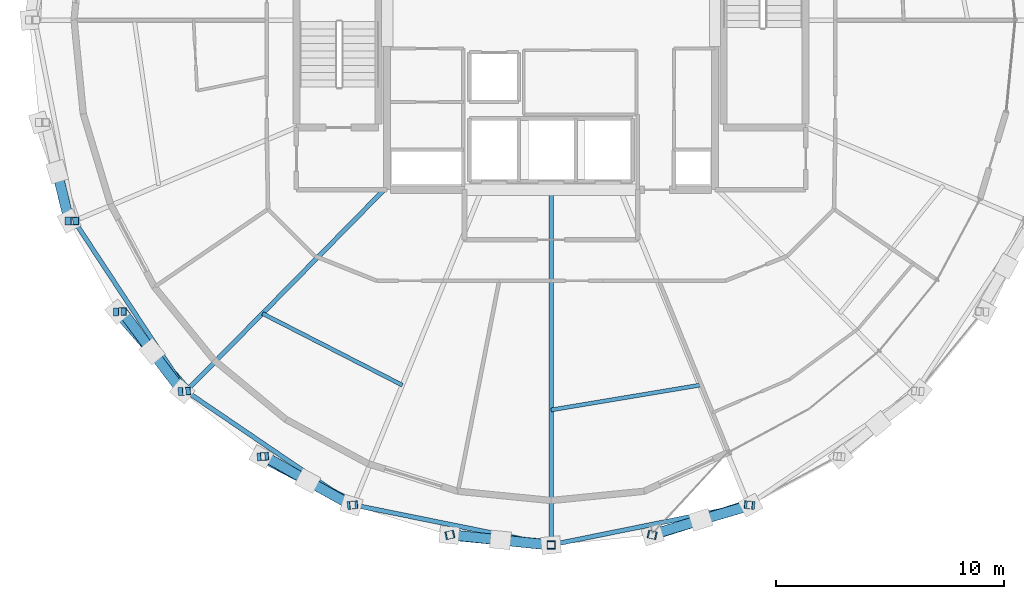
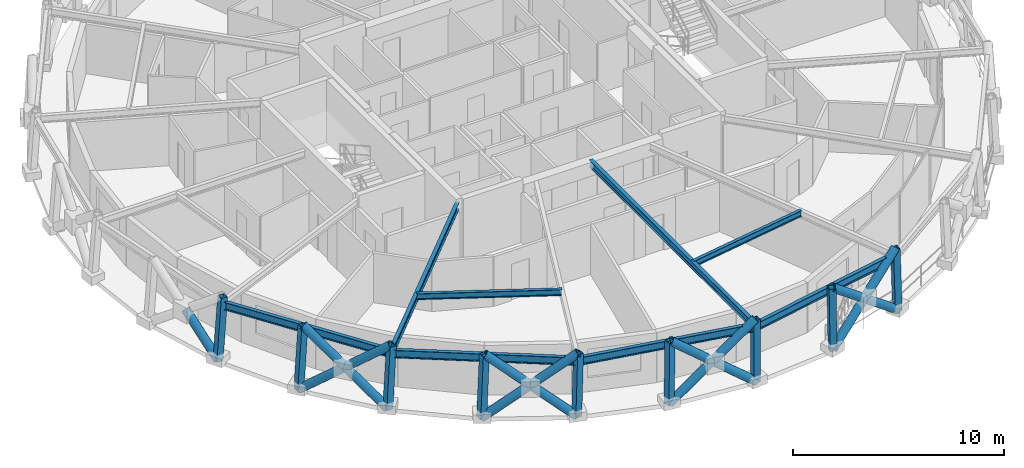
# One storey, part 1 of 15: 22 members, 8 beams.
"""IFC4 building model written with IfcOpenShell, lengths in metres."""

from ifc_helpers import new_model, si_unit, direction, frame, origin, origin_2d, place, context, subcontext, project, spatial, hollow_rectangle, hollow_circle, i_section, extrude, material, material_profile, profile_set, type_object, element, save


model = new_model("IFC4")

# Units and contexts
model_context = context("Model", 3, precision=1e-05, world=origin(), true_north=direction((0.0, 1.0)))
body_context = subcontext(model_context, "Body", "Model", "MODEL_VIEW")
ifc_project = project(units=[si_unit("LENGTHUNIT", "METRE"), si_unit("AREAUNIT", "SQUARE_METRE"), si_unit("VOLUMEUNIT", "CUBIC_METRE"), si_unit("PLANEANGLEUNIT", "RADIAN"), si_unit("MASSUNIT", "GRAM", prefix="KILO")], contexts=[model_context])

# Site, building, storey
site_placement = place(None, origin())
site = spatial("IfcSite", under=ifc_project, at=site_placement, CompositionType="ELEMENT")
building_placement = place(site_placement, origin())
building = spatial("IfcBuilding", under=site, at=building_placement, Name="Veldorina Hangang Commons", CompositionType="ELEMENT")
storey_placement = place(building_placement, frame((0.0, 0.0, 250.800048828125)))
storey = spatial("IfcBuildingStorey", under=building, at=storey_placement, Name="L65", CompositionType="ELEMENT", Elevation=250.800048828125)

# Beams
ifc_material = material(Name="Steel SM355-TMC", Category="steel")
ifc_material_profile_1 = material_profile(ifc_material, i_section(OverallWidth=0.199951171875, OverallDepth=0.39990234375, WebThickness=0.008056640625, FlangeThickness=0.012939453125, FilletRadius=0.012939453125, at=origin_2d()), Name="H-400x200x8x13")
ifc_profile_set_1 = profile_set([ifc_material_profile_1], Name="Steel SM355-TMC")
beam_type_1 = type_object("IfcBeamType", Name="BM-FG400", PredefinedType="BEAM", material=ifc_profile_set_1)
beam_1_placement = place(storey_placement, frame((24.800048828125, 16.6787109375, 3.159912109375), z_axis=(-0.701176597394, -0.712987643138, 0.0), x_axis=(0.712987643138, -0.701176597394, 0.0)))
element("IfcBeam", 1, at=beam_1_placement, inside=storey, type_object=beam_type_1, Name="L65 radial floor girder 11", PredefinedType="BEAM", context=body_context, shape_type="SweptSolid", body=[
    extrude(i_section(OverallWidth=0.199951171875, OverallDepth=0.39990234375, WebThickness=0.008056640625, FlangeThickness=0.012939453125, FilletRadius=0.012939453125, at=origin_2d()), origin(), (0.0, 0.0, 1.0), 12.58837890625),
])
beam_2_placement = place(storey_placement, frame((32.0, 16.550048828125, 3.159912109375), z_axis=(0.0, -1.0, 0.0), x_axis=(1.0, 0.0, 0.0)))
element("IfcBeam", 2, at=beam_2_placement, inside=storey, type_object=beam_type_1, Name="L65 radial floor girder 13", PredefinedType="BEAM", context=body_context, shape_type="SweptSolid", body=[
    extrude(i_section(OverallWidth=0.199951171875, OverallDepth=0.39990234375, WebThickness=0.008056640625, FlangeThickness=0.012939453125, FilletRadius=0.012939453125, at=origin_2d()), origin(), (0.0, 0.0, 1.0), 15.59716796875),
])
ifc_material_profile_2 = material_profile(ifc_material, i_section(OverallWidth=0.175048828125, OverallDepth=0.35009765625, WebThickness=0.007080078125, FlangeThickness=0.010986328125, FilletRadius=0.012939453125, at=origin_2d()), Name="H-350x175x7x11")
ifc_profile_set_2 = profile_set([ifc_material_profile_2], Name="Steel SM355-TMC")
beam_type_2 = type_object("IfcBeamType", Name="BM-JST350", PredefinedType="JOIST", material=ifc_profile_set_2)
beam_3_placement = place(storey_placement, frame((19.327392578125, 11.114013671875, 3.18505859375), z_axis=(0.889997144017, -0.455966099224, 0.0), x_axis=(0.455966099224, 0.889997144017, 0.0)))
element("IfcBeam", 3, at=beam_3_placement, inside=storey, type_object=beam_type_2, Name="L65 secondary floor joist 11", PredefinedType="JOIST", context=body_context, shape_type="SweptSolid", body=[
    extrude(i_section(OverallWidth=0.175048828125, OverallDepth=0.35009765625, WebThickness=0.007080078125, FlangeThickness=0.010986328125, FilletRadius=0.012939453125, at=origin_2d()), origin(), (0.0, 0.0, 1.0), 6.900634765625),
])
beam_4_placement = place(storey_placement, frame((32.0, 6.8798828125, 3.18505859375), z_axis=(0.986414844293, 0.164273415249, 0.0), x_axis=(-0.164273415249, 0.986414844293, 0.0)))
element("IfcBeam", 4, at=beam_4_placement, inside=storey, type_object=beam_type_2, Name="L65 secondary floor joist 13", PredefinedType="JOIST", context=body_context, shape_type="SweptSolid", body=[
    extrude(i_section(OverallWidth=0.175048828125, OverallDepth=0.35009765625, WebThickness=0.007080078125, FlangeThickness=0.010986328125, FilletRadius=0.012939453125, at=origin_2d()), origin(), (0.0, 0.0, 1.0), 6.620849609375),
])
ifc_material_profile_3 = material_profile(ifc_material, i_section(OverallWidth=0.199951171875, OverallDepth=0.449951171875, WebThickness=0.009033203125, FlangeThickness=0.013916015625, FilletRadius=0.01611328125, at=origin_2d()), Name="H-450x200x9x14")
ifc_profile_set_3 = profile_set([ifc_material_profile_3], Name="Steel SM355-TMC")
beam_type_3 = type_object("IfcBeamType", Name="BM-RB450", PredefinedType="BEAM", material=ifc_profile_set_3)
beam_5_placement = place(storey_placement, frame((11.06005859375, 15.180419921875, 3.135009765625), z_axis=(0.549165362874, -0.835713709484, 0.0), x_axis=(0.835713709484, 0.549165362874, 0.0)))
element("IfcBeam", 5, at=beam_5_placement, inside=storey, type_object=beam_type_3, Name="L65 perimeter hoop ring beam 18", PredefinedType="BEAM", context=body_context, shape_type="SweptSolid", body=[
    extrude(i_section(OverallWidth=0.199951171875, OverallDepth=0.449951171875, WebThickness=0.009033203125, FlangeThickness=0.013916015625, FilletRadius=0.01611328125, at=origin_2d()), origin(), (0.0, 0.0, 1.0), 8.947021484375),
])
beam_6_placement = place(storey_placement, frame((15.973388671875, 7.703369140625, 3.135009765625), z_axis=(0.827133831343, -0.562005004469, 0.0), x_axis=(0.562005004469, 0.827133831343, 0.0)))
element("IfcBeam", 6, at=beam_6_placement, inside=storey, type_object=beam_type_3, Name="L65 perimeter hoop ring beam 20", PredefinedType="BEAM", context=body_context, shape_type="SweptSolid", body=[
    extrude(i_section(OverallWidth=0.199951171875, OverallDepth=0.449951171875, WebThickness=0.009033203125, FlangeThickness=0.013916015625, FilletRadius=0.01611328125, at=origin_2d()), origin(), (0.0, 0.0, 1.0), 8.8896484375),
])
for number, where, z_axis, x_axis, name in (
    (7, (23.326416015625, 2.707275390625, 3.135009765625), (0.980150716708, -0.198253808379, 0.0), (0.198253808379, 0.980150716708, 0.0), "L65 perimeter hoop ring beam 22"),
    (8, (32.0, 0.952880859375, 3.135009765625), (0.980150716708, 0.198253808379, 0.0), (-0.198253808379, 0.980150716708, 0.0), "L65 perimeter hoop ring beam 24"),
):
    element("IfcBeam", number, at=place(storey_placement, frame(where, z_axis=z_axis, x_axis=x_axis)), inside=storey, type_object=beam_type_3, Name=name, PredefinedType="BEAM", context=body_context, shape_type="SweptSolid", body=[
        extrude(i_section(OverallWidth=0.199951171875, OverallDepth=0.449951171875, WebThickness=0.009033203125, FlangeThickness=0.013916015625, FilletRadius=0.01611328125, at=origin_2d()), origin(), (0.0, 0.0, 1.0), 8.84912109375),
    ])

# Members
ifc_material_profile_4 = material_profile(ifc_material, hollow_circle(Radius=0.22509765625, WallThickness=0.02197265625, at=origin_2d()), Name="CHS-450x22")
ifc_profile_set_4 = profile_set([ifc_material_profile_4], Name="Steel SM355-TMC")
member_type_1 = type_object("IfcMemberType", Name="DG-CHS450", PredefinedType="BRACE", material=ifc_profile_set_4)
member_1_placement = place(storey_placement, frame((10.83837890625, 15.17626953125, 0.0), z_axis=(-0.182973226911, 0.755510607481, 0.629066387766), x_axis=(-0.971903352853, -0.235380272568, 0.0)))
element("IfcMember", 9, at=member_1_placement, inside=storey, type_object=member_type_1, Name="L65 split perimeter diagrid lower brace 18", PredefinedType="BRACE", context=body_context, shape_type="SweptSolid", body=[
    extrude(hollow_circle(Radius=0.22509765625, WallThickness=0.02197265625, at=origin_2d()), origin(), (0.0, 0.0, 1.0), 2.86328125),
])
member_2_placement = place(storey_placement, frame((12.955078125, 11.18994140625, 0.0), z_axis=(0.51912433147, -0.594540195764, 0.614029220882), x_axis=(0.753265907658, 0.657716103163, 0.0)))
element("IfcMember", 10, at=member_2_placement, inside=storey, type_object=member_type_1, Name="L65 continuous perimeter diagrid brace 19", PredefinedType="BRACE", context=body_context, shape_type="SweptSolid", body=[
    extrude(hollow_circle(Radius=0.22509765625, WallThickness=0.02197265625, at=origin_2d()), origin(), (0.0, 0.0, 1.0), 5.86279296875),
])
member_3_placement = place(storey_placement, frame((15.8037109375, 7.69580078125, 0.0), z_axis=(-0.466071494645, 0.615379506217, 0.635677139126), x_axis=(-0.797170144595, -0.603754718877, 0.0)))
element("IfcMember", 11, at=member_3_placement, inside=storey, type_object=member_type_1, Name="L65 split perimeter diagrid lower brace 20", PredefinedType="BRACE", context=body_context, shape_type="SweptSolid", body=[
    extrude(hollow_circle(Radius=0.22509765625, WallThickness=0.02197265625, at=origin_2d()), origin(), (0.0, 0.0, 1.0), 2.838623046875),
])
member_4_placement = place(storey_placement, frame((14.480712890625, 9.442626953125, 1.804443359375), z_axis=(-0.458975422074, 0.620839659609, 0.635531021264), x_axis=(-0.804117982347, -0.594469738898, 0.0)))
element("IfcMember", 12, at=member_4_placement, inside=storey, type_object=member_type_1, Name="L65 split perimeter diagrid upper brace 20", PredefinedType="BRACE", context=body_context, shape_type="SweptSolid", body=[
    extrude(hollow_circle(Radius=0.22509765625, WallThickness=0.02197265625, at=origin_2d()), origin(), (0.0, 0.0, 1.0), 2.824951171875),
])
member_5_placement = place(storey_placement, frame((19.274658203125, 4.828369140625, 0.0), z_axis=(0.697425821139, -0.363623047029, 0.617556073306), x_axis=(0.462314851589, 0.886715838361, 0.0)))
element("IfcMember", 13, at=member_5_placement, inside=storey, type_object=member_type_1, Name="L65 continuous perimeter diagrid brace 21", PredefinedType="BRACE", context=body_context, shape_type="SweptSolid", body=[
    extrude(hollow_circle(Radius=0.22509765625, WallThickness=0.02197265625, at=origin_2d()), origin(), (0.0, 0.0, 1.0), 5.8291015625),
])
member_6_placement = place(storey_placement, frame((23.234619140625, 2.697509765625, 0.0), z_axis=(-0.674487187127, 0.374896379248, 0.636018662641), x_axis=(-0.485822429049, -0.874057530963, 0.0)))
element("IfcMember", 14, at=member_6_placement, inside=storey, type_object=member_type_1, Name="L65 split perimeter diagrid lower brace 22", PredefinedType="BRACE", context=body_context, shape_type="SweptSolid", body=[
    extrude(hollow_circle(Radius=0.22509765625, WallThickness=0.02197265625, at=origin_2d()), origin(), (0.0, 0.0, 1.0), 2.84326171875),
])
member_7_placement = place(storey_placement, frame((21.31689453125, 3.763427734375, 1.808349609375), z_axis=(-0.670694168829, 0.381631742744, 0.636024012777), x_axis=(-0.494553508677, -0.86914718377, 0.0)))
element("IfcMember", 15, at=member_7_placement, inside=storey, type_object=member_type_1, Name="L65 split perimeter diagrid upper brace 22", PredefinedType="BRACE", context=body_context, shape_type="SweptSolid", body=[
    extrude(hollow_circle(Radius=0.22509765625, WallThickness=0.02197265625, at=origin_2d()), origin(), (0.0, 0.0, 1.0), 2.816650390625),
])
member_8_placement = place(storey_placement, frame((27.531494140625, 1.385498046875, 0.0), z_axis=(0.776548344545, -0.074884326511, 0.625591724871), x_axis=(0.095987011164, 0.995382586591, 0.0)))
element("IfcMember", 16, at=member_8_placement, inside=storey, type_object=member_type_1, Name="L65 continuous perimeter diagrid brace 23", PredefinedType="BRACE", context=body_context, shape_type="SweptSolid", body=[
    extrude(hollow_circle(Radius=0.22509765625, WallThickness=0.02197265625, at=origin_2d()), origin(), (0.0, 0.0, 1.0), 5.75439453125),
])
member_9_placement = place(storey_placement, frame((32.0, 0.9423828125, 0.0), z_axis=(-0.7726358699, 0.078732928592, 0.629948361773), x_axis=(-0.101376739095, -0.994848107386, 0.0)))
element("IfcMember", 17, at=member_9_placement, inside=storey, type_object=member_type_1, Name="L65 split perimeter diagrid lower brace 24", PredefinedType="BRACE", context=body_context, shape_type="SweptSolid", body=[
    extrude(hollow_circle(Radius=0.22509765625, WallThickness=0.02197265625, at=origin_2d()), origin(), (0.0, 0.0, 1.0), 2.87451171875),
])
member_10_placement = place(storey_placement, frame((29.779052734375, 1.168701171875, 1.810791015625), z_axis=(-0.772465692105, 0.080461594459, 0.629938636962), x_axis=(-0.103601521872, -0.994618884129, 0.0)))
element("IfcMember", 18, at=member_10_placement, inside=storey, type_object=member_type_1, Name="L65 split perimeter diagrid upper brace 24", PredefinedType="BRACE", context=body_context, shape_type="SweptSolid", body=[
    extrude(hollow_circle(Radius=0.22509765625, WallThickness=0.02197265625, at=origin_2d()), origin(), (0.0, 0.0, 1.0), 2.840087890625),
])
member_11_placement = place(storey_placement, frame((36.468505859375, 1.385498046875, 0.0), z_axis=(0.737747561908, 0.232909586763, 0.633625803841), x_axis=(-0.301056933172, 0.953606167655, 0.0)))
element("IfcMember", 19, at=member_11_placement, inside=storey, type_object=member_type_1, Name="L65 continuous perimeter diagrid brace 25", PredefinedType="BRACE", context=body_context, shape_type="SweptSolid", body=[
    extrude(hollow_circle(Radius=0.22509765625, WallThickness=0.02197265625, at=origin_2d()), origin(), (0.0, 0.0, 1.0), 5.681396484375),
])
member_12_placement = place(storey_placement, frame((40.765380859375, 2.697509765625, 0.0), z_axis=(-0.751494721189, -0.221979205668, 0.62127362432), x_axis=(0.283283551415, -0.959036198221, 0.0)))
element("IfcMember", 20, at=member_12_placement, inside=storey, type_object=member_type_1, Name="L65 split perimeter diagrid lower brace 26", PredefinedType="BRACE", context=body_context, shape_type="SweptSolid", body=[
    extrude(hollow_circle(Radius=0.22509765625, WallThickness=0.02197265625, at=origin_2d()), origin(), (0.0, 0.0, 1.0), 2.91357421875),
])
member_13_placement = place(storey_placement, frame((38.575927734375, 2.05078125, 1.81005859375), z_axis=(-0.750094631249, -0.226841767719, 0.621209189074), x_axis=(0.289470144005, -0.957187043231, 0.0)))
element("IfcMember", 21, at=member_13_placement, inside=storey, type_object=member_type_1, Name="L65 split perimeter diagrid upper brace 26", PredefinedType="BRACE", context=body_context, shape_type="SweptSolid", body=[
    extrude(hollow_circle(Radius=0.22509765625, WallThickness=0.02197265625, at=origin_2d()), origin(), (0.0, 0.0, 1.0), 2.881103515625),
])
ifc_material_profile_5 = material_profile(ifc_material, hollow_rectangle(XDim=0.35009765625, YDim=0.35009765625, WallThickness=0.01611328125, at=origin_2d()), Name="SHS-350x350x16")
ifc_profile_set_5 = profile_set([ifc_material_profile_5], Name="Steel SM355-TMC")
member_type_2 = type_object("IfcMemberType", Name="STR-SHS350", PredefinedType="STRUT", material=ifc_profile_set_5)
member_14_placement = place(storey_placement, frame((10.83837890625, 15.17626953125, 0.0), z_axis=(0.070559480211, 0.001285359659, 0.997506745643), x_axis=(-0.018213660818, 0.999834117521, 0.0)))
element("IfcMember", 22, at=member_14_placement, inside=storey, type_object=member_type_2, Name="L65 perimeter ring node post 18", PredefinedType="STRUT", context=body_context, shape_type="SweptSolid", body=[
    extrude(hollow_rectangle(XDim=0.35009765625, YDim=0.35009765625, WallThickness=0.01611328125, at=origin_2d()), origin(), (0.0, 0.0, 1.0), 3.60888671875),
])
member_15_placement = place(storey_placement, frame((12.955078125, 11.18994140625, 0.0), z_axis=(0.063486348579, 0.001827432209, 0.997981033906), x_axis=(-0.028772730747, 0.999585979276, 0.0)))
element("IfcMember", 23, at=member_15_placement, inside=storey, type_object=member_type_2, Name="L65 perimeter ring node post 19", PredefinedType="STRUT", context=body_context, shape_type="SweptSolid", body=[
    extrude(hollow_rectangle(XDim=0.35009765625, YDim=0.35009765625, WallThickness=0.01611328125, at=origin_2d()), origin(), (0.0, 0.0, 1.0), 3.607177734375),
])
member_16_placement = place(storey_placement, frame((15.8037109375, 7.69580078125, 0.0), z_axis=(0.054040804353, 0.002370210717, 0.998535915011), x_axis=(-0.043817524169, 0.999039551057, 0.0)))
element("IfcMember", 24, at=member_16_placement, inside=storey, type_object=member_type_2, Name="L65 perimeter ring node post 20", PredefinedType="STRUT", context=body_context, shape_type="SweptSolid", body=[
    extrude(hollow_rectangle(XDim=0.35009765625, YDim=0.35009765625, WallThickness=0.01611328125, at=origin_2d()), origin(), (0.0, 0.0, 1.0), 3.605224609375),
])
member_17_placement = place(storey_placement, frame((19.274658203125, 4.828369140625, 0.0), z_axis=(0.04248433237, 0.00277808234, 0.999093270802), x_axis=(-0.065251392563, 0.997868856999, 0.0)))
element("IfcMember", 25, at=member_17_placement, inside=storey, type_object=member_type_2, Name="L65 perimeter ring node post 21", PredefinedType="STRUT", context=body_context, shape_type="SweptSolid", body=[
    extrude(hollow_rectangle(XDim=0.35009765625, YDim=0.35009765625, WallThickness=0.01611328125, at=origin_2d()), origin(), (0.0, 0.0, 1.0), 3.60302734375),
])
member_18_placement = place(storey_placement, frame((23.234619140625, 2.697509765625, 0.0), z_axis=(0.029285358453, 0.003118348354, 0.999566227763), x_axis=(-0.10588290701, 0.99437860496, 0.0)))
element("IfcMember", 26, at=member_18_placement, inside=storey, type_object=member_type_2, Name="L65 perimeter ring node post 22", PredefinedType="STRUT", context=body_context, shape_type="SweptSolid", body=[
    extrude(hollow_rectangle(XDim=0.35009765625, YDim=0.35009765625, WallThickness=0.01611328125, at=origin_2d()), origin(), (0.0, 0.0, 1.0), 3.601318359375),
])
member_19_placement = place(storey_placement, frame((27.531494140625, 1.385498046875, 0.0), z_axis=(0.014918572469, 0.003254961266, 0.999883413915), x_axis=(-0.213167075217, 0.97701576141, 0.0)))
element("IfcMember", 27, at=member_19_placement, inside=storey, type_object=member_type_2, Name="L65 perimeter ring node post 23", PredefinedType="STRUT", context=body_context, shape_type="SweptSolid", body=[
    extrude(hollow_rectangle(XDim=0.35009765625, YDim=0.35009765625, WallThickness=0.01611328125, at=origin_2d()), origin(), (0.0, 0.0, 1.0), 3.600341796875),
])
member_20_placement = place(storey_placement, frame((32.0, 0.9423828125, 0.0), z_axis=(0.0, 0.003390960497, 0.999994250677), x_axis=(-1.0, 0.0, 0.0)))
element("IfcMember", 28, at=member_20_placement, inside=storey, type_object=member_type_2, Name="L65 perimeter ring node post 24", PredefinedType="STRUT", context=body_context, shape_type="SweptSolid", body=[
    extrude(hollow_rectangle(XDim=0.35009765625, YDim=0.35009765625, WallThickness=0.01611328125, at=origin_2d()), origin(), (0.0, 0.0, 1.0), 3.599853515625),
])
member_21_placement = place(storey_placement, frame((36.468505859375, 1.385498046875, 0.0), z_axis=(-0.014918572469, 0.003254961266, 0.999883413915), x_axis=(-0.213167075217, -0.97701576141, 0.0)))
element("IfcMember", 29, at=member_21_placement, inside=storey, type_object=member_type_2, Name="L65 perimeter ring node post 25", PredefinedType="STRUT", context=body_context, shape_type="SweptSolid", body=[
    extrude(hollow_rectangle(XDim=0.35009765625, YDim=0.35009765625, WallThickness=0.01611328125, at=origin_2d()), origin(), (0.0, 0.0, 1.0), 3.600341796875),
])
member_22_placement = place(storey_placement, frame((40.765380859375, 2.697509765625, 0.0), z_axis=(-0.029285358453, 0.003118348354, 0.999566227763), x_axis=(-0.10588290701, -0.99437860496, 0.0)))
element("IfcMember", 30, at=member_22_placement, inside=storey, type_object=member_type_2, Name="L65 perimeter ring node post 26", PredefinedType="STRUT", context=body_context, shape_type="SweptSolid", body=[
    extrude(hollow_rectangle(XDim=0.35009765625, YDim=0.35009765625, WallThickness=0.01611328125, at=origin_2d()), origin(), (0.0, 0.0, 1.0), 3.601318359375),
])

save(model, "model.ifc")
